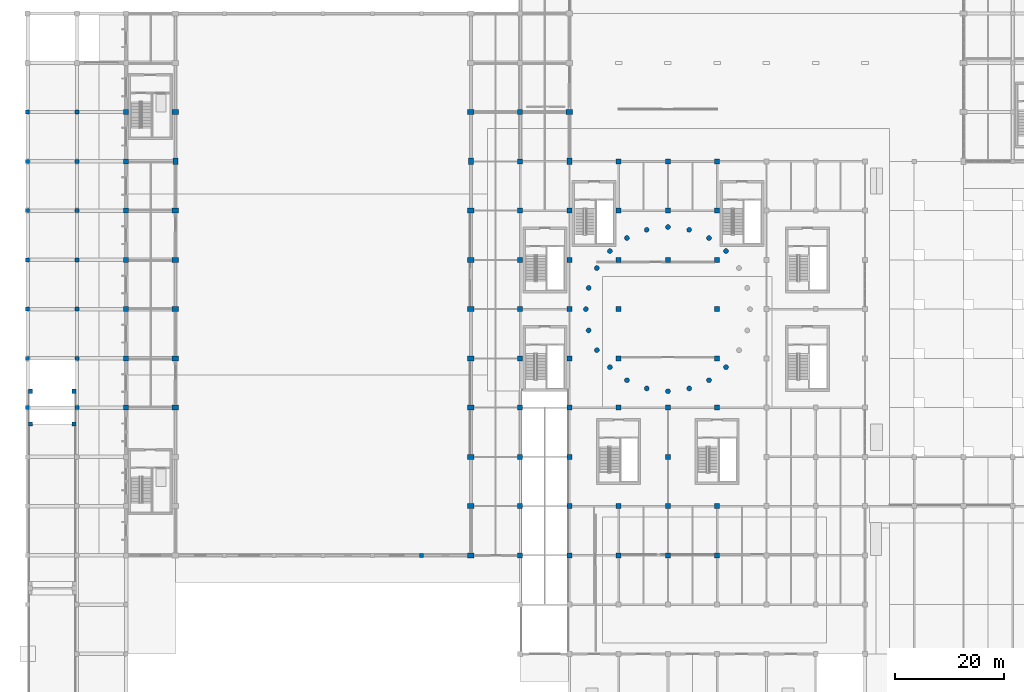
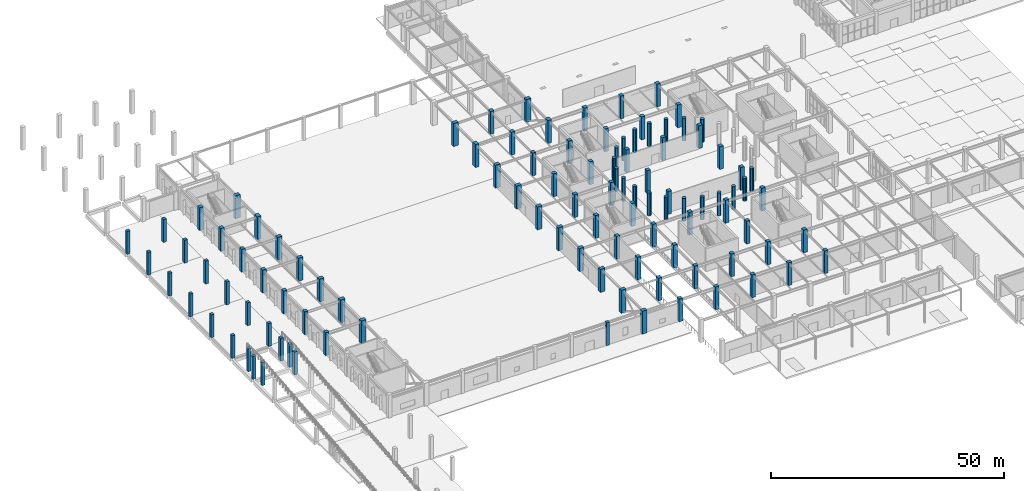
# One storey, part 3 of 91: 105 columns.
"""IFC4 building model written with IfcOpenShell, lengths in metres."""

from ifc_helpers import new_model, si_unit, direction, frame, origin, origin_2d, place, context, subcontext, project, spatial, rectangle, circle, extrude, material, material_profile, profile_set, type_object, element, save


model = new_model("IFC4")

# Units and contexts
model_context = context("Model", 3, precision=1e-05, world=origin(), true_north=direction((0.0, 1.0)))
body_context = subcontext(model_context, "Body", "Model", "MODEL_VIEW")
ifc_project = project(units=[si_unit("LENGTHUNIT", "METRE"), si_unit("AREAUNIT", "SQUARE_METRE"), si_unit("VOLUMEUNIT", "CUBIC_METRE"), si_unit("PLANEANGLEUNIT", "RADIAN"), si_unit("MASSUNIT", "GRAM", prefix="KILO")], contexts=[model_context])

# Site, building, storey
site_placement = place(None, origin())
site = spatial("IfcSite", under=ifc_project, at=site_placement, CompositionType="ELEMENT")
building_placement = place(site_placement, origin())
building = spatial("IfcBuilding", under=site, at=building_placement, Name="Dornveld Trade and Exhibition Forum", CompositionType="ELEMENT")
storey_placement = place(building_placement, origin())
storey = spatial("IfcBuildingStorey", under=building, at=storey_placement, Name="L00", CompositionType="ELEMENT", Elevation=0.0)

# Columns
ifc_material_1 = material(Name="Precast concrete C50/60", Category="concrete")
ifc_material_profile_1 = material_profile(ifc_material_1, circle(Radius=0.449951171875, at=origin_2d()), Name="PC-COL D900")
ifc_profile_set_1 = profile_set([ifc_material_profile_1], Name="Precast concrete C50/60")
column_type_1 = type_object("IfcColumnType", Name="COL-DISC-D900", PredefinedType="COLUMN", material=ifc_profile_set_1)
for number, where, z_axis, x_axis, name in (
    (1, (102.0, 81.0, 0.0), (0.0, 0.0, 1.0), (1.0, 0.0, 0.0), "L00 column (102.0, 81.0)"),
    (2, (102.510986328125, 77.117919921875, 0.0), (0.0, 0.0, 1.0), (1.0, 0.0, 0.0), "L00 column (102.5, 77.1)"),
    (3, (102.510986328125, 84.882080078125, 0.0), (0.0, 0.0, 1.0), (1.0, 0.0, 0.0), "L00 column (102.5, 84.9)"),
    (4, (104.010009765625, 73.5, 0.0), (0.0, 0.0, 1.0), (1.0, 0.0, 0.0), "L00 column (104.0, 73.5)"),
    (5, (104.010009765625, 88.5, 0.0), (0.0, 0.0, 1.0), (1.0, 0.0, 0.0), "L00 column (104.0, 88.5)"),
    (6, (106.39306640625, 70.39306640625, 0.0), (0.0, 0.0, 1.0), (1.0, 0.0, 0.0), "L00 column (106.4, 70.4)"),
    (7, (106.39306640625, 91.60693359375, 0.0), (0.0, 0.0, 1.0), (1.0, 0.0, 0.0), "L00 column (106.4, 91.6)"),
    (8, (109.5, 68.010009765625, 0.0), (0.0, 0.0, 1.0), (1.0, 0.0, 0.0), "L00 column (109.5, 68.0)"),
    (9, (109.5, 93.989990234375, 0.0), (0.0, 0.0, 1.0), (1.0, 0.0, 0.0), "L00 column (109.5, 94.0)"),
    (10, (113.117919921875, 66.510986328125, 0.0), (0.0, 0.0, 1.0), (1.0, 0.0, 0.0), "L00 column (113.1, 66.5)"),
    (11, (113.117919921875, 95.489013671875, 0.0), (0.0, 0.0, 1.0), (1.0, 0.0, 0.0), "L00 column (113.1, 95.5)"),
    (12, (117.0, 66.0, 0.0), (0.0, 0.0, 1.0), (1.0, 0.0, 0.0), "L00 column (117.0, 66.0)"),
    (13, (117.0, 96.0, 0.0), (0.0, 0.0, 1.0), (1.0, 0.0, 0.0), "L00 column (117.0, 96.0)"),
    (14, (120.882080078125, 66.510986328125, 0.0), (0.0, 0.0, 1.0), (1.0, 0.0, 0.0), "L00 column (120.9, 66.5)"),
    (15, (120.882080078125, 95.489013671875, 0.0), (0.0, 0.0, 1.0), (1.0, 0.0, 0.0), "L00 column (120.9, 95.5)"),
    (16, (124.5, 68.010009765625, 0.0), (0.0, 0.0, 1.0), (1.0, 0.0, 0.0), "L00 column (124.5, 68.0)"),
    (17, (124.5, 93.989990234375, 0.0), (0.0, 0.0, 1.0), (1.0, 0.0, 0.0), "L00 column (124.5, 94.0)"),
    (18, (127.60693359375, 70.39306640625, 0.0), (0.0, 0.0, 1.0), (1.0, 0.0, 0.0), "L00 column (127.6, 70.4)"),
    (19, (127.60693359375, 91.60693359375, 0.0), (0.0, 0.0, 1.0), (1.0, 0.0, 0.0), "L00 column (127.6, 91.6)"),
):
    element("IfcColumn", number, at=place(storey_placement, frame(where, z_axis=z_axis, x_axis=x_axis)), inside=storey, type_object=column_type_1, Name=name, PredefinedType="COLUMN", context=body_context, shape_type="SweptSolid", body=[
        extrude(circle(Radius=0.449951171875, at=origin_2d()), origin(), (0.0, 0.0, 1.0), 6.0),
    ])
ifc_material_2 = material(Name="Precast concrete C50/60", Category="concrete")
ifc_material_profile_2 = material_profile(ifc_material_2, rectangle(XDim=0.75, YDim=0.75, at=origin_2d()), Name="PC-COL 750x750")
ifc_profile_set_2 = profile_set([ifc_material_profile_2], Name="Precast concrete C50/60")
column_type_2 = type_object("IfcColumnType", Name="COL-PC750", PredefinedType="COLUMN", material=ifc_profile_set_2)
for number, where, z_axis, x_axis, name in (
    (20, (0.0, 63.0, 0.0), (0.0, 0.0, 1.0), (1.0, 0.0, 0.0), "L00 column (0.0, 63.0)"),
    (21, (0.0, 72.0, 0.0), (0.0, 0.0, 1.0), (1.0, 0.0, 0.0), "L00 column (0.0, 72.0)"),
    (22, (0.0, 81.0, 0.0), (0.0, 0.0, 1.0), (1.0, 0.0, 0.0), "L00 column (0.0, 81.0)"),
    (23, (0.0, 90.0, 0.0), (0.0, 0.0, 1.0), (1.0, 0.0, 0.0), "L00 column (0.0, 90.0)"),
    (24, (0.0, 99.0, 0.0), (0.0, 0.0, 1.0), (1.0, 0.0, 0.0), "L00 column (0.0, 99.0)"),
    (25, (0.0, 108.0, 0.0), (0.0, 0.0, 1.0), (1.0, 0.0, 0.0), "L00 column (0.0, 108.0)"),
    (26, (0.0, 117.0, 0.0), (0.0, 0.0, 1.0), (1.0, 0.0, 0.0), "L00 column (0.0, 117.0)"),
    (27, (9.0, 63.0, 0.0), (0.0, 0.0, 1.0), (1.0, 0.0, 0.0), "L00 column (9.0, 63.0)"),
    (28, (9.0, 72.0, 0.0), (0.0, 0.0, 1.0), (1.0, 0.0, 0.0), "L00 column (9.0, 72.0)"),
    (29, (9.0, 81.0, 0.0), (0.0, 0.0, 1.0), (1.0, 0.0, 0.0), "L00 column (9.0, 81.0)"),
    (30, (9.0, 90.0, 0.0), (0.0, 0.0, 1.0), (1.0, 0.0, 0.0), "L00 column (9.0, 90.0)"),
    (31, (9.0, 99.0, 0.0), (0.0, 0.0, 1.0), (1.0, 0.0, 0.0), "L00 column (9.0, 99.0)"),
    (32, (9.0, 108.0, 0.0), (0.0, 0.0, 1.0), (1.0, 0.0, 0.0), "L00 column (9.0, 108.0)"),
    (33, (9.0, 117.0, 0.0), (0.0, 0.0, 1.0), (1.0, 0.0, 0.0), "L00 column (9.0, 117.0)"),
    (34, (0.5, 60.0, 0.0), (0.0, 0.0, 1.0), (1.0, 0.0, 0.0), "Ramp support pier 3"),
    (35, (8.5, 60.0, 0.0), (0.0, 0.0, 1.0), (1.0, 0.0, 0.0), "Ramp support pier 4"),
    (36, (0.5, 66.0, 0.0), (0.0, 0.0, 1.0), (1.0, 0.0, 0.0), "Ramp support pier 5"),
    (37, (8.5, 66.0, 0.0), (0.0, 0.0, 1.0), (1.0, 0.0, 0.0), "Ramp support pier 6"),
):
    element("IfcColumn", number, at=place(storey_placement, frame(where, z_axis=z_axis, x_axis=x_axis)), inside=storey, type_object=column_type_2, Name=name, PredefinedType="COLUMN", context=body_context, shape_type="SweptSolid", body=[
        extrude(rectangle(XDim=0.75, YDim=0.75, at=origin_2d()), origin(), (0.0, 0.0, 1.0), 6.0),
    ])
ifc_material_3 = material(Name="Precast concrete C50/60", Category="concrete")
ifc_material_profile_3 = material_profile(ifc_material_3, rectangle(XDim=0.89990234375, YDim=0.89990234375, at=origin_2d()), Name="PC-COL 900x900")
ifc_profile_set_3 = profile_set([ifc_material_profile_3], Name="Precast concrete C50/60")
column_type_3 = type_object("IfcColumnType", Name="COL-PC900", PredefinedType="COLUMN", material=ifc_profile_set_3)
for number, where, z_axis, x_axis, name in (
    (38, (18.0, 63.0, 0.0), (0.0, 0.0, 1.0), (1.0, 0.0, 0.0), "L00 column (18.0, 63.0)"),
    (39, (18.0, 72.0, 0.0), (0.0, 0.0, 1.0), (1.0, 0.0, 0.0), "L00 column (18.0, 72.0)"),
    (40, (18.0, 81.0, 0.0), (0.0, 0.0, 1.0), (1.0, 0.0, 0.0), "L00 column (18.0, 81.0)"),
    (41, (18.0, 90.0, 0.0), (0.0, 0.0, 1.0), (1.0, 0.0, 0.0), "L00 column (18.0, 90.0)"),
    (42, (18.0, 99.0, 0.0), (0.0, 0.0, 1.0), (1.0, 0.0, 0.0), "L00 column (18.0, 99.0)"),
    (43, (18.0, 108.0, 0.0), (0.0, 0.0, 1.0), (1.0, 0.0, 0.0), "L00 column (18.0, 108.0)"),
    (44, (18.0, 117.0, 0.0), (0.0, 0.0, 1.0), (1.0, 0.0, 0.0), "L00 column (18.0, 117.0)"),
    (45, (90.0, 36.0, 0.0), (0.0, 0.0, 1.0), (1.0, 0.0, 0.0), "L00 column (90.0, 36.0)"),
    (46, (90.0, 45.0, 0.0), (0.0, 0.0, 1.0), (1.0, 0.0, 0.0), "L00 column (90.0, 45.0)"),
    (47, (90.0, 54.0, 0.0), (0.0, 0.0, 1.0), (1.0, 0.0, 0.0), "L00 column (90.0, 54.0)"),
    (48, (90.0, 63.0, 0.0), (0.0, 0.0, 1.0), (1.0, 0.0, 0.0), "L00 column (90.0, 63.0)"),
    (49, (90.0, 72.0, 0.0), (0.0, 0.0, 1.0), (1.0, 0.0, 0.0), "L00 column (90.0, 72.0)"),
    (50, (90.0, 81.0, 0.0), (0.0, 0.0, 1.0), (1.0, 0.0, 0.0), "L00 column (90.0, 81.0)"),
    (51, (90.0, 90.0, 0.0), (0.0, 0.0, 1.0), (1.0, 0.0, 0.0), "L00 column (90.0, 90.0)"),
    (52, (90.0, 99.0, 0.0), (0.0, 0.0, 1.0), (1.0, 0.0, 0.0), "L00 column (90.0, 99.0)"),
    (53, (90.0, 108.0, 0.0), (0.0, 0.0, 1.0), (1.0, 0.0, 0.0), "L00 column (90.0, 108.0)"),
    (54, (90.0, 117.0, 0.0), (0.0, 0.0, 1.0), (1.0, 0.0, 0.0), "L00 column (90.0, 117.0)"),
    (55, (99.0, 36.0, 0.0), (0.0, 0.0, 1.0), (1.0, 0.0, 0.0), "L00 column (99.0, 36.0)"),
    (56, (99.0, 45.0, 0.0), (0.0, 0.0, 1.0), (1.0, 0.0, 0.0), "L00 column (99.0, 45.0)"),
    (57, (99.0, 54.0, 0.0), (0.0, 0.0, 1.0), (1.0, 0.0, 0.0), "L00 column (99.0, 54.0)"),
    (58, (99.0, 63.0, 0.0), (0.0, 0.0, 1.0), (1.0, 0.0, 0.0), "L00 column (99.0, 63.0)"),
    (59, (99.0, 72.0, 0.0), (0.0, 0.0, 1.0), (1.0, 0.0, 0.0), "L00 column (99.0, 72.0)"),
    (60, (99.0, 81.0, 0.0), (0.0, 0.0, 1.0), (1.0, 0.0, 0.0), "L00 column (99.0, 81.0)"),
    (61, (99.0, 90.0, 0.0), (0.0, 0.0, 1.0), (1.0, 0.0, 0.0), "L00 column (99.0, 90.0)"),
    (62, (99.0, 99.0, 0.0), (0.0, 0.0, 1.0), (1.0, 0.0, 0.0), "L00 column (99.0, 99.0)"),
    (63, (108.0, 36.0, 0.0), (0.0, 0.0, 1.0), (1.0, 0.0, 0.0), "L00 column (108.0, 36.0)"),
    (64, (108.0, 45.0, 0.0), (0.0, 0.0, 1.0), (1.0, 0.0, 0.0), "L00 column (108.0, 45.0)"),
    (65, (108.0, 63.0, 0.0), (0.0, 0.0, 1.0), (1.0, 0.0, 0.0), "L00 column (108.0, 63.0)"),
    (66, (108.0, 72.0, 0.0), (0.0, 0.0, 1.0), (1.0, 0.0, 0.0), "L00 column (108.0, 72.0)"),
    (67, (108.0, 81.0, 0.0), (0.0, 0.0, 1.0), (1.0, 0.0, 0.0), "L00 column (108.0, 81.0)"),
    (68, (108.0, 90.0, 0.0), (0.0, 0.0, 1.0), (1.0, 0.0, 0.0), "L00 column (108.0, 90.0)"),
    (69, (108.0, 99.0, 0.0), (0.0, 0.0, 1.0), (1.0, 0.0, 0.0), "L00 column (108.0, 99.0)"),
    (70, (108.0, 108.0, 0.0), (0.0, 0.0, 1.0), (1.0, 0.0, 0.0), "L00 column (108.0, 108.0)"),
    (71, (117.0, 36.0, 0.0), (0.0, 0.0, 1.0), (1.0, 0.0, 0.0), "L00 column (117.0, 36.0)"),
    (72, (117.0, 45.0, 0.0), (0.0, 0.0, 1.0), (1.0, 0.0, 0.0), "L00 column (117.0, 45.0)"),
    (73, (117.0, 54.0, 0.0), (0.0, 0.0, 1.0), (1.0, 0.0, 0.0), "L00 column (117.0, 54.0)"),
    (74, (117.0, 63.0, 0.0), (0.0, 0.0, 1.0), (1.0, 0.0, 0.0), "L00 column (117.0, 63.0)"),
    (75, (117.0, 90.0, 0.0), (0.0, 0.0, 1.0), (1.0, 0.0, 0.0), "L00 column (117.0, 90.0)"),
    (76, (117.0, 99.0, 0.0), (0.0, 0.0, 1.0), (1.0, 0.0, 0.0), "L00 column (117.0, 99.0)"),
    (77, (117.0, 108.0, 0.0), (0.0, 0.0, 1.0), (1.0, 0.0, 0.0), "L00 column (117.0, 108.0)"),
    (78, (126.0, 36.0, 0.0), (0.0, 0.0, 1.0), (1.0, 0.0, 0.0), "L00 column (126.0, 36.0)"),
    (79, (126.0, 45.0, 0.0), (0.0, 0.0, 1.0), (1.0, 0.0, 0.0), "L00 column (126.0, 45.0)"),
    (80, (126.0, 63.0, 0.0), (0.0, 0.0, 1.0), (1.0, 0.0, 0.0), "L00 column (126.0, 63.0)"),
    (81, (126.0, 72.0, 0.0), (0.0, 0.0, 1.0), (1.0, 0.0, 0.0), "L00 column (126.0, 72.0)"),
    (82, (126.0, 81.0, 0.0), (0.0, 0.0, 1.0), (1.0, 0.0, 0.0), "L00 column (126.0, 81.0)"),
    (83, (126.0, 90.0, 0.0), (0.0, 0.0, 1.0), (1.0, 0.0, 0.0), "L00 column (126.0, 90.0)"),
    (84, (126.0, 99.0, 0.0), (0.0, 0.0, 1.0), (1.0, 0.0, 0.0), "L00 column (126.0, 99.0)"),
    (85, (126.0, 108.0, 0.0), (0.0, 0.0, 1.0), (1.0, 0.0, 0.0), "L00 column (126.0, 108.0)"),
):
    element("IfcColumn", number, at=place(storey_placement, frame(where, z_axis=z_axis, x_axis=x_axis)), inside=storey, type_object=column_type_3, Name=name, PredefinedType="COLUMN", context=body_context, shape_type="SweptSolid", body=[
        extrude(rectangle(XDim=0.89990234375, YDim=0.89990234375, at=origin_2d()), origin(), (0.0, 0.0, 1.0), 6.0),
    ])
ifc_material_4 = material(Name="Precast concrete C50/60", Category="concrete")
ifc_material_profile_4 = material_profile(ifc_material_4, rectangle(XDim=1.199951171875, YDim=0.89990234375, at=origin_2d()), Name="PC-PIER 1200x900")
ifc_profile_set_4 = profile_set([ifc_material_profile_4], Name="Precast concrete C50/60")
column_type_4 = type_object("IfcColumnType", Name="COL-PIER1200", PredefinedType="COLUMN", material=ifc_profile_set_4)
for number, where, z_axis, x_axis, name in (
    (86, (27.0, 63.0, 0.0), (0.0, 0.0, 1.0), (1.0, 0.0, 0.0), "L00 column (27.0, 63.0)"),
    (87, (27.0, 72.0, 0.0), (0.0, 0.0, 1.0), (1.0, 0.0, 0.0), "L00 column (27.0, 72.0)"),
    (88, (27.0, 81.0, 0.0), (0.0, 0.0, 1.0), (1.0, 0.0, 0.0), "L00 column (27.0, 81.0)"),
    (89, (27.0, 90.0, 0.0), (0.0, 0.0, 1.0), (1.0, 0.0, 0.0), "L00 column (27.0, 90.0)"),
    (90, (27.0, 99.0, 0.0), (0.0, 0.0, 1.0), (1.0, 0.0, 0.0), "L00 column (27.0, 99.0)"),
    (91, (27.0, 108.0, 0.0), (0.0, 0.0, 1.0), (0.0, 1.0, 0.0), "L00 column (27.0, 108.0)"),
    (92, (27.0, 117.0, 0.0), (0.0, 0.0, 1.0), (1.0, 0.0, 0.0), "L00 column (27.0, 117.0)"),
    (93, (81.0, 36.0, 0.0), (0.0, 0.0, 1.0), (1.0, 0.0, 0.0), "L00 column (81.0, 36.0)"),
    (94, (81.0, 45.0, 0.0), (0.0, 0.0, 1.0), (1.0, 0.0, 0.0), "L00 column (81.0, 45.0)"),
    (95, (81.0, 54.0, 0.0), (0.0, 0.0, 1.0), (1.0, 0.0, 0.0), "L00 column (81.0, 54.0)"),
    (96, (81.0, 63.0, 0.0), (0.0, 0.0, 1.0), (1.0, 0.0, 0.0), "L00 column (81.0, 63.0)"),
    (97, (81.0, 72.0, 0.0), (0.0, 0.0, 1.0), (1.0, 0.0, 0.0), "L00 column (81.0, 72.0)"),
    (98, (81.0, 81.0, 0.0), (0.0, 0.0, 1.0), (1.0, 0.0, 0.0), "L00 column (81.0, 81.0)"),
    (99, (81.0, 90.0, 0.0), (0.0, 0.0, 1.0), (1.0, 0.0, 0.0), "L00 column (81.0, 90.0)"),
    (100, (81.0, 99.0, 0.0), (0.0, 0.0, 1.0), (1.0, 0.0, 0.0), "L00 column (81.0, 99.0)"),
    (101, (81.0, 108.0, 0.0), (0.0, 0.0, 1.0), (0.0, 1.0, 0.0), "L00 column (81.0, 108.0)"),
    (102, (81.0, 117.0, 0.0), (0.0, 0.0, 1.0), (1.0, 0.0, 0.0), "L00 column (81.0, 117.0)"),
    (103, (99.0, 108.0, 0.0), (0.0, 0.0, 1.0), (0.0, 1.0, 0.0), "L00 column (99.0, 108.0)"),
    (104, (99.0, 117.0, 0.0), (0.0, 0.0, 1.0), (1.0, 0.0, 0.0), "L00 column (99.0, 117.0)"),
):
    element("IfcColumn", number, at=place(storey_placement, frame(where, z_axis=z_axis, x_axis=x_axis)), inside=storey, type_object=column_type_4, Name=name, PredefinedType="COLUMN", context=body_context, shape_type="SweptSolid", body=[
        extrude(rectangle(XDim=1.199951171875, YDim=0.89990234375, at=origin_2d()), origin(), (0.0, 0.0, 1.0), 6.0),
    ])
ifc_material_5 = material(Name="Precast concrete C50/60", Category="concrete")
ifc_material_profile_5 = material_profile(ifc_material_5, rectangle(XDim=0.75, YDim=0.75, at=origin_2d()), Name="PC-COL 750x750")
ifc_profile_set_5 = profile_set([ifc_material_profile_5], Name="Precast concrete C50/60")
column_type_5 = type_object("IfcColumnType", Name="COL-PILASTER750", PredefinedType="PILASTER", material=ifc_profile_set_5)
column_placement = place(storey_placement, frame((72.0, 36.0, 0.0), z_axis=(0.0, 0.0, 1.0), x_axis=(1.0, 0.0, 0.0)))
element("IfcColumn", 105, at=column_placement, inside=storey, type_object=column_type_5, Name="L00 column (72.0, 36.0)", PredefinedType="PILASTER", context=body_context, shape_type="SweptSolid", body=[
    extrude(rectangle(XDim=0.75, YDim=0.75, at=origin_2d()), origin(), (0.0, 0.0, 1.0), 6.0),
])

save(model, "model.ifc")
